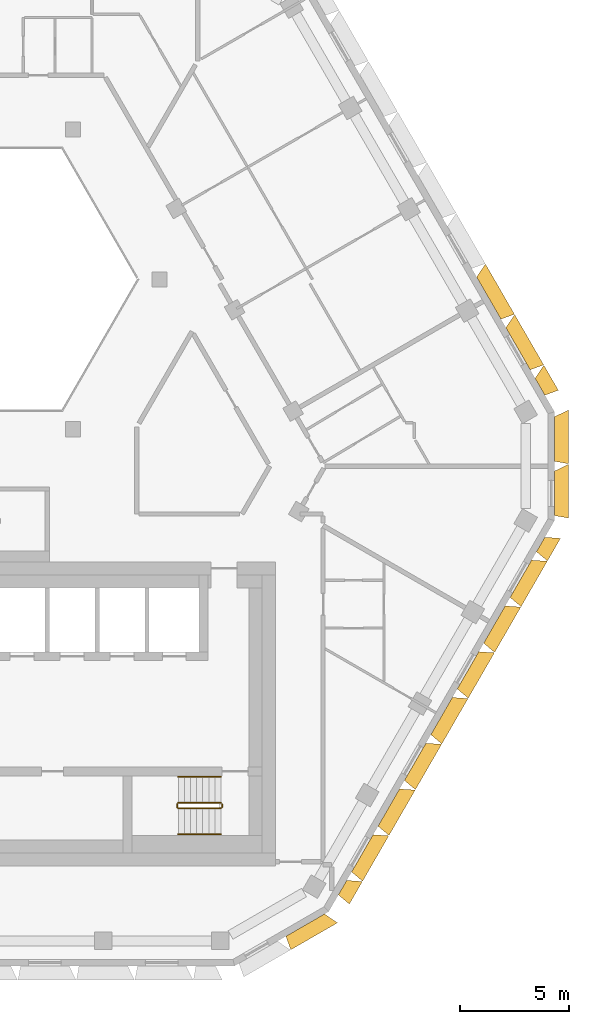
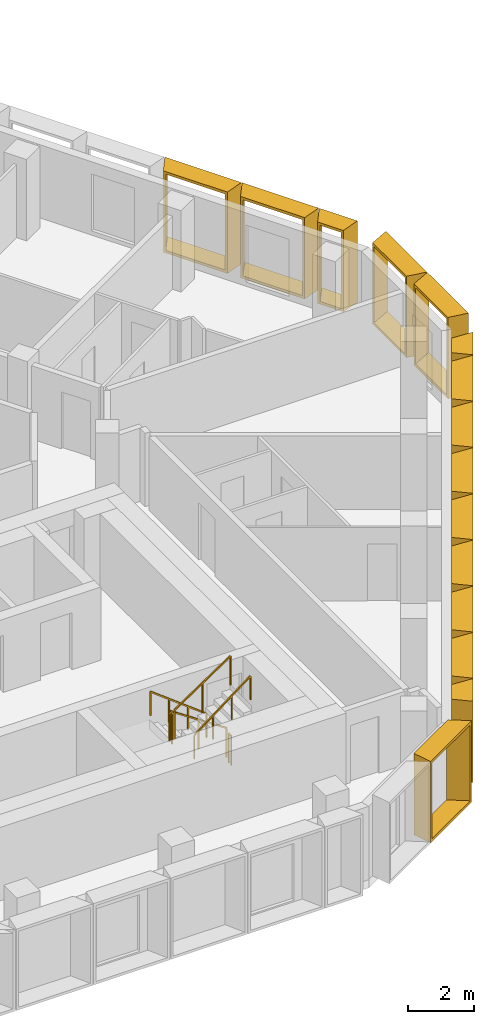
# One storey, part 13 of 14: 15 shading devices, 6 railings.
"""IFC4 building model written with IfcOpenShell, lengths in metres."""

from ifc_helpers import new_model, entity, si_unit, direction, frame, origin, origin_2d, place, context, subcontext, project, spatial, rectangle, extrude, source, transform, mapped, material, type_object, type_shapes, element, save


model = new_model("IFC4")

# Units and contexts
model_context = context("Model", 3, precision=1e-05, world=origin(), true_north=direction((0.0, 1.0)))
body_context = subcontext(model_context, "Body", "Model", "MODEL_VIEW")
ifc_project = project(units=[si_unit("LENGTHUNIT", "METRE"), si_unit("AREAUNIT", "SQUARE_METRE"), si_unit("VOLUMEUNIT", "CUBIC_METRE"), si_unit("PLANEANGLEUNIT", "RADIAN"), si_unit("MASSUNIT", "GRAM", prefix="KILO")], contexts=[model_context])

# Site, building, storey
site_placement = place(None, origin())
site = spatial("IfcSite", under=ifc_project, at=site_placement, CompositionType="ELEMENT")
building_placement = place(site_placement, origin())
building = spatial("IfcBuilding", under=site, at=building_placement, Name="Beryl Residences", CompositionType="ELEMENT")
storey_placement = place(building_placement, frame((0.0, 0.0, 181.199951171875)))
storey = spatial("IfcBuildingStorey", under=building, at=storey_placement, Name="L55", CompositionType="ELEMENT", Elevation=181.199951171875)

# Shading devices
ifc_material_1 = material(Name="Aluminium pale anodised", Category="aluminium")
shading_device_type_1 = type_object("IfcShadingDeviceType", Name="FR122-65C OUTER SKIN frame 650 mm deep, splay 10/26 deg, 1220 x 3000 mm cell", PredefinedType="USERDEFINED", material=ifc_material_1)
cartesian_point_1 = entity("IfcCartesianPoint", [-0.384033203125, 0.0])
cartesian_point_2 = entity("IfcCartesianPoint", [-0.302734375, 0.10009765625])
cartesian_point_3 = entity("IfcCartesianPoint", [-0.49853515625, 0.0])
cartesian_point_4 = entity("IfcCartesianPoint", [-0.41748046875, 0.10009765625])
shared_shape_1 = source(origin(), body_context, "Body", "SweptSolid", [
    entity("IfcExtrudedAreaSolidTapered", entity("IfcArbitraryProfileDefWithVoids", "AREA", None, entity("IfcPolyline", [cartesian_point_1, entity("IfcCartesianPoint", [0.384033203125, 0.0]), entity("IfcCartesianPoint", [0.384033203125, 3.0]), entity("IfcCartesianPoint", [-0.384033203125, 3.0]), cartesian_point_1]), [entity("IfcPolyline", [cartesian_point_2, entity("IfcCartesianPoint", [0.294921875, 0.10009765625]), entity("IfcCartesianPoint", [0.294921875, 2.89990234375]), entity("IfcCartesianPoint", [-0.302734375, 2.89990234375]), cartesian_point_2])]), entity("IfcAxis2Placement3D", entity("IfcCartesianPoint", [0.0, 0.0, 0.0]), entity("IfcDirection", [0.0, 1.0, 0.0]), entity("IfcDirection", [-1.0, 0.0, 0.0])), entity("IfcDirection", [0.0, 0.0, 1.0]), 0.64990234375, entity("IfcArbitraryProfileDefWithVoids", "AREA", None, entity("IfcPolyline", [cartesian_point_3, entity("IfcCartesianPoint", [0.700927734375, 0.0]), entity("IfcCartesianPoint", [0.700927734375, 3.0]), entity("IfcCartesianPoint", [-0.49853515625, 3.0]), cartesian_point_3]), [entity("IfcPolyline", [cartesian_point_4, entity("IfcCartesianPoint", [0.612060546875, 0.10009765625]), entity("IfcCartesianPoint", [0.612060546875, 2.89990234375]), entity("IfcCartesianPoint", [-0.41748046875, 2.89990234375]), cartesian_point_4])])),
])
type_shapes(shading_device_type_1, [shared_shape_1])
for number, where, z_axis, x_axis, name in (
    (1, (16.39697265625, -19.9990234375, 0.0), (0.0, 0.0, 1.0), (-0.5, -0.866025403784, 0.0), "FR122-65C frame L55 SE 1"),
    (2, (25.51611328125, -4.202880859375, 0.0), (0.0, 0.0, 1.0), (-0.5, -0.866025403784, 0.0), "FR122-65C frame L55 SE 9"),
):
    element("IfcShadingDevice", number, at=place(storey_placement, frame(where, z_axis=z_axis, x_axis=x_axis)), inside=storey, type_object=shading_device_type_1, Name=name, ObjectType="OUTER SKIN", PredefinedType="USERDEFINED", context=body_context, shape_type="MappedRepresentation", body=[
        mapped(shared_shape_1, transform((0.0, 0.0, 0.0))),
    ])
ifc_material_2 = material(Name="Aluminium pale anodised", Category="aluminium")
shading_device_type_2 = type_object("IfcShadingDeviceType", Name="FR135-65C OUTER SKIN frame 650 mm deep, splay 10/26 deg, 1350 x 3000 mm cell", PredefinedType="USERDEFINED", material=ifc_material_2)
cartesian_point_5 = entity("IfcCartesianPoint", [-0.448974609375, 0.0])
cartesian_point_6 = entity("IfcCartesianPoint", [-0.36767578125, 0.10009765625])
cartesian_point_7 = entity("IfcCartesianPoint", [-0.563720703125, 0.0])
cartesian_point_8 = entity("IfcCartesianPoint", [-0.482421875, 0.10009765625])
shared_shape_2 = source(origin(), body_context, "Body", "SweptSolid", [
    entity("IfcExtrudedAreaSolidTapered", entity("IfcArbitraryProfileDefWithVoids", "AREA", None, entity("IfcPolyline", [cartesian_point_5, entity("IfcCartesianPoint", [0.448974609375, 0.0]), entity("IfcCartesianPoint", [0.448974609375, 3.0]), entity("IfcCartesianPoint", [-0.448974609375, 3.0]), cartesian_point_5]), [entity("IfcPolyline", [cartesian_point_6, entity("IfcCartesianPoint", [0.360107421875, 0.10009765625]), entity("IfcCartesianPoint", [0.360107421875, 2.89990234375]), entity("IfcCartesianPoint", [-0.36767578125, 2.89990234375]), cartesian_point_6])]), entity("IfcAxis2Placement3D", entity("IfcCartesianPoint", [0.0, 0.0, 0.0]), entity("IfcDirection", [0.0, 1.0, 0.0]), entity("IfcDirection", [-1.0, 0.0, 0.0])), entity("IfcDirection", [0.0, 0.0, 1.0]), 0.64990234375, entity("IfcArbitraryProfileDefWithVoids", "AREA", None, entity("IfcPolyline", [cartesian_point_7, entity("IfcCartesianPoint", [0.76611328125, 0.0]), entity("IfcCartesianPoint", [0.76611328125, 3.0]), entity("IfcCartesianPoint", [-0.563720703125, 3.0]), cartesian_point_7]), [entity("IfcPolyline", [cartesian_point_8, entity("IfcCartesianPoint", [0.677001953125, 0.10009765625]), entity("IfcCartesianPoint", [0.677001953125, 2.89990234375]), entity("IfcCartesianPoint", [-0.482421875, 2.89990234375]), cartesian_point_8])])),
])
type_shapes(shading_device_type_2, [shared_shape_2])
shading_device_placement = place(storey_placement, frame((25.485107421875, 3.056884765625, 0.0), z_axis=(0.0, 0.0, 1.0), x_axis=(0.5, -0.866025403784, 0.0)))
element("IfcShadingDevice", 3, at=shading_device_placement, inside=storey, type_object=shading_device_type_2, Name="FR135-65C frame L55 NE 1", ObjectType="OUTER SKIN", PredefinedType="USERDEFINED", context=body_context, shape_type="MappedRepresentation", body=[
    mapped(shared_shape_2, transform((0.0, 0.0, 0.0))),
])
ifc_material_3 = material(Name="Aluminium pale anodised", Category="aluminium")
shading_device_type_3 = type_object("IfcShadingDeviceType", Name="FR243-65C OUTER SKIN frame 650 mm deep, splay 10/26 deg, 2430 x 3000 mm cell", PredefinedType="USERDEFINED", material=ifc_material_3)
cartesian_point_9 = entity("IfcCartesianPoint", [-0.989013671875, 0.0])
cartesian_point_10 = entity("IfcCartesianPoint", [-0.90771484375, 0.10009765625])
cartesian_point_11 = entity("IfcCartesianPoint", [-1.103515625, 0.0])
cartesian_point_12 = entity("IfcCartesianPoint", [-1.0224609375, 0.10009765625])
shared_shape_3 = source(origin(), body_context, "Body", "SweptSolid", [
    entity("IfcExtrudedAreaSolidTapered", entity("IfcArbitraryProfileDefWithVoids", "AREA", None, entity("IfcPolyline", [cartesian_point_9, entity("IfcCartesianPoint", [0.989013671875, 0.0]), entity("IfcCartesianPoint", [0.989013671875, 3.0]), entity("IfcCartesianPoint", [-0.989013671875, 3.0]), cartesian_point_9]), [entity("IfcPolyline", [cartesian_point_10, entity("IfcCartesianPoint", [0.89990234375, 0.10009765625]), entity("IfcCartesianPoint", [0.89990234375, 2.89990234375]), entity("IfcCartesianPoint", [-0.90771484375, 2.89990234375]), cartesian_point_10])]), entity("IfcAxis2Placement3D", entity("IfcCartesianPoint", [0.0, 0.0, 0.0]), entity("IfcDirection", [0.0, 1.0, 0.0]), entity("IfcDirection", [-1.0, 0.0, 0.0])), entity("IfcDirection", [0.0, 0.0, 1.0]), 0.64990234375, entity("IfcArbitraryProfileDefWithVoids", "AREA", None, entity("IfcPolyline", [cartesian_point_11, entity("IfcCartesianPoint", [1.305908203125, 0.0]), entity("IfcCartesianPoint", [1.305908203125, 3.0]), entity("IfcCartesianPoint", [-1.103515625, 3.0]), cartesian_point_11]), [entity("IfcPolyline", [cartesian_point_12, entity("IfcCartesianPoint", [1.217041015625, 0.10009765625]), entity("IfcCartesianPoint", [1.217041015625, 2.89990234375]), entity("IfcCartesianPoint", [-1.0224609375, 2.89990234375]), cartesian_point_12])])),
])
type_shapes(shading_device_type_3, [shared_shape_3])
for number, where, z_axis, x_axis, name in (
    (4, (17.30908203125, -18.4189453125, 0.0), (0.0, 0.0, 1.0), (-0.5, -0.866025403784, 0.0), "FR243-65C frame L55 SE 2"),
    (5, (18.52490234375, -16.31298828125, 0.0), (0.0, 0.0, 1.0), (-0.5, -0.866025403784, 0.0), "FR243-65C frame L55 SE 3"),
    (6, (19.740966796875, -14.20703125, 0.0), (0.0, 0.0, 1.0), (-0.5, -0.866025403784, 0.0), "FR243-65C frame L55 SE 4"),
    (7, (20.95703125, -12.10107421875, 0.0), (0.0, 0.0, 1.0), (-0.5, -0.866025403784, 0.0), "FR243-65C frame L55 SE 5"),
    (8, (22.172119140625, -9.9951171875, 0.0), (0.0, 0.0, 1.0), (-0.5, -0.866025403784, 0.0), "FR243-65C frame L55 SE 6"),
    (9, (23.387939453125, -7.888916015625, 0.0), (0.0, 0.0, 1.0), (-0.5, -0.866025403784, 0.0), "FR243-65C frame L55 SE 7"),
    (10, (24.60400390625, -5.781982421875, 0.0), (0.0, 0.0, 1.0), (-0.5, -0.866025403784, 0.0), "FR243-65C frame L55 SE 8"),
):
    element("IfcShadingDevice", number, at=place(storey_placement, frame(where, z_axis=z_axis, x_axis=x_axis)), inside=storey, type_object=shading_device_type_3, Name=name, ObjectType="OUTER SKIN", PredefinedType="USERDEFINED", context=body_context, shape_type="MappedRepresentation", body=[
        mapped(shared_shape_3, transform((0.0, 0.0, 0.0))),
    ])
ifc_material_4 = material(Name="Aluminium pale anodised", Category="aluminium")
shading_device_type_4 = type_object("IfcShadingDeviceType", Name="FR250-65C OUTER SKIN frame 650 mm deep, splay 10/26 deg, 2500 x 3000 mm cell", PredefinedType="USERDEFINED", material=ifc_material_4)
cartesian_point_13 = entity("IfcCartesianPoint", [-1.02392578125, 0.0])
cartesian_point_14 = entity("IfcCartesianPoint", [-0.94287109375, 0.10009765625])
cartesian_point_15 = entity("IfcCartesianPoint", [-1.138671875, 0.0])
cartesian_point_16 = entity("IfcCartesianPoint", [-1.057373046875, 0.10009765625])
shared_shape_4 = source(origin(), body_context, "Body", "SweptSolid", [
    entity("IfcExtrudedAreaSolidTapered", entity("IfcArbitraryProfileDefWithVoids", "AREA", None, entity("IfcPolyline", [cartesian_point_13, entity("IfcCartesianPoint", [1.02392578125, 0.0]), entity("IfcCartesianPoint", [1.02392578125, 3.0]), entity("IfcCartesianPoint", [-1.02392578125, 3.0]), cartesian_point_13]), [entity("IfcPolyline", [cartesian_point_14, entity("IfcCartesianPoint", [0.93505859375, 0.10009765625]), entity("IfcCartesianPoint", [0.93505859375, 2.89990234375]), entity("IfcCartesianPoint", [-0.94287109375, 2.89990234375]), cartesian_point_14])]), entity("IfcAxis2Placement3D", entity("IfcCartesianPoint", [0.0, 0.0, 0.0]), entity("IfcDirection", [0.0, 1.0, 0.0]), entity("IfcDirection", [-1.0, 0.0, 0.0])), entity("IfcDirection", [0.0, 0.0, 1.0]), 0.64990234375, entity("IfcArbitraryProfileDefWithVoids", "AREA", None, entity("IfcPolyline", [cartesian_point_15, entity("IfcCartesianPoint", [1.341064453125, 0.0]), entity("IfcCartesianPoint", [1.341064453125, 3.0]), entity("IfcCartesianPoint", [-1.138671875, 3.0]), cartesian_point_15]), [entity("IfcPolyline", [cartesian_point_16, entity("IfcCartesianPoint", [1.251953125, 0.10009765625]), entity("IfcCartesianPoint", [1.251953125, 2.89990234375]), entity("IfcCartesianPoint", [-1.057373046875, 2.89990234375]), cartesian_point_16])])),
])
type_shapes(shading_device_type_4, [shared_shape_4])
for number, where, z_axis, x_axis, name in (
    (11, (14.677978515625, -21.72509765625, 0.0), (0.0, 0.0, 1.0), (-0.866025403784, -0.5, 0.0), "FR250-65C frame L55 S-SE 2"),
    (12, (26.154052734375, -1.85009765625, 0.0), (0.0, 0.0, 1.0), (0.0, -1.0, 0.0), "FR250-65C frame L55 SE-NE 1"),
    (13, (26.154052734375, 0.64990234375, 0.0), (0.0, 0.0, 1.0), (0.0, -1.0, 0.0), "FR250-65C frame L55 SE-NE 2"),
):
    element("IfcShadingDevice", number, at=place(storey_placement, frame(where, z_axis=z_axis, x_axis=x_axis)), inside=storey, type_object=shading_device_type_4, Name=name, ObjectType="OUTER SKIN", PredefinedType="USERDEFINED", context=body_context, shape_type="MappedRepresentation", body=[
        mapped(shared_shape_4, transform((0.0, 0.0, 0.0))),
    ])
ifc_material_5 = material(Name="Aluminium pale anodised", Category="aluminium")
shading_device_type_5 = type_object("IfcShadingDeviceType", Name="FR269-65C OUTER SKIN frame 650 mm deep, splay 10/26 deg, 2690 x 3000 mm cell", PredefinedType="USERDEFINED", material=ifc_material_5)
cartesian_point_17 = entity("IfcCartesianPoint", [-1.118896484375, 0.0])
cartesian_point_18 = entity("IfcCartesianPoint", [-1.037841796875, 0.10009765625])
cartesian_point_19 = entity("IfcCartesianPoint", [-1.233642578125, 0.0])
cartesian_point_20 = entity("IfcCartesianPoint", [-1.15234375, 0.10009765625])
shared_shape_5 = source(origin(), body_context, "Body", "SweptSolid", [
    entity("IfcExtrudedAreaSolidTapered", entity("IfcArbitraryProfileDefWithVoids", "AREA", None, entity("IfcPolyline", [cartesian_point_17, entity("IfcCartesianPoint", [1.118896484375, 0.0]), entity("IfcCartesianPoint", [1.118896484375, 3.0]), entity("IfcCartesianPoint", [-1.118896484375, 3.0]), cartesian_point_17]), [entity("IfcPolyline", [cartesian_point_18, entity("IfcCartesianPoint", [1.030029296875, 0.10009765625]), entity("IfcCartesianPoint", [1.030029296875, 2.89990234375]), entity("IfcCartesianPoint", [-1.037841796875, 2.89990234375]), cartesian_point_18])]), entity("IfcAxis2Placement3D", entity("IfcCartesianPoint", [0.0, 0.0, 0.0]), entity("IfcDirection", [0.0, 1.0, 0.0]), entity("IfcDirection", [-1.0, 0.0, 0.0])), entity("IfcDirection", [0.0, 0.0, 1.0]), 0.64990234375, entity("IfcArbitraryProfileDefWithVoids", "AREA", None, entity("IfcPolyline", [cartesian_point_19, entity("IfcCartesianPoint", [1.43603515625, 0.0]), entity("IfcCartesianPoint", [1.43603515625, 3.0]), entity("IfcCartesianPoint", [-1.233642578125, 3.0]), cartesian_point_19]), [entity("IfcPolyline", [cartesian_point_20, entity("IfcCartesianPoint", [1.346923828125, 0.10009765625]), entity("IfcCartesianPoint", [1.346923828125, 2.89990234375]), entity("IfcCartesianPoint", [-1.15234375, 2.89990234375]), cartesian_point_20])])),
])
type_shapes(shading_device_type_5, [shared_shape_5])
for number, where, z_axis, x_axis, name in (
    (14, (24.47607421875, 4.805908203125, 0.0), (0.0, 0.0, 1.0), (0.5, -0.866025403784, 0.0), "FR269-65C frame L55 NE 2"),
    (15, (23.1298828125, 7.136962890625, 0.0), (0.0, 0.0, 1.0), (0.5, -0.866025403784, 0.0), "FR269-65C frame L55 NE 3"),
):
    element("IfcShadingDevice", number, at=place(storey_placement, frame(where, z_axis=z_axis, x_axis=x_axis)), inside=storey, type_object=shading_device_type_5, Name=name, ObjectType="OUTER SKIN", PredefinedType="USERDEFINED", context=body_context, shape_type="MappedRepresentation", body=[
        mapped(shared_shape_5, transform((0.0, 0.0, 0.0))),
    ])

# Railings
ifc_material_6 = material(Name="Stainless steel balustrade with glass infill", Category="steel")
railing_type_1 = type_object("IfcRailingType", Name="SG1 stair guard 1100 mm", PredefinedType="GUARDRAIL", material=ifc_material_6)
railing_1_placement = place(storey_placement, frame((10.800048828125, -16.10009765625, 0.1875)))
element("IfcRailing", 16, at=railing_1_placement, inside=storey, type_object=railing_type_1, Name="L55 ST-3 stair guard 1", PredefinedType="GUARDRAIL", context=body_context, shape_type="SweptSolid", body=[
    extrude(rectangle(XDim=0.048095703125, YDim=0.048095703125, at=origin_2d()), frame((0.0, 0.0, 1.076171875), z_axis=(-0.830902050051, 0.0, 0.556418712142), x_axis=(0.0, -1.0, 0.0)), (0.0, 0.0, 1.0), 2.35888671875),
    extrude(rectangle(XDim=0.0419921875, YDim=0.0419921875, at=origin_2d()), origin(), (0.0, 0.0, 1.0), 1.052001953125),
    extrude(rectangle(XDim=0.0419921875, YDim=0.0419921875, at=origin_2d()), frame((-0.97998046875, 0.0, 0.65625)), (0.0, 0.0, 1.0), 1.052001953125),
    extrude(rectangle(XDim=0.0419921875, YDim=0.0419921875, at=origin_2d()), frame((-1.9599609375, 0.0, 1.3125)), (0.0, 0.0, 1.0), 1.052001953125),
])
railing_2_placement = place(storey_placement, frame((8.7900390625, -16.14990234375, 1.5)))
element("IfcRailing", 17, at=railing_2_placement, inside=storey, type_object=railing_type_1, Name="L55 ST-3 stair guard 2", PredefinedType="GUARDRAIL", context=body_context, shape_type="SweptSolid", body=[
    extrude(rectangle(XDim=0.048095703125, YDim=0.048095703125, at=origin_2d()), frame((0.0, 0.0, 1.076171875), z_axis=(0.0, -1.0, 0.0), x_axis=(1.0, 0.0, 0.0)), (0.0, 0.0, 1.0), 0.150146484375),
    extrude(rectangle(XDim=0.0419921875, YDim=0.0419921875, at=origin_2d()), origin(), (0.0, 0.0, 1.0), 1.052001953125),
    extrude(rectangle(XDim=0.0419921875, YDim=0.0419921875, at=origin_2d()), frame((0.0, -0.150146484375, 0.0)), (0.0, 0.0, 1.0), 1.052001953125),
])
railing_3_placement = place(storey_placement, frame((8.840087890625, -16.35009765625, 1.6875)))
element("IfcRailing", 18, at=railing_3_placement, inside=storey, type_object=railing_type_1, Name="L55 ST-3 stair guard 3", PredefinedType="GUARDRAIL", context=body_context, shape_type="SweptSolid", body=[
    extrude(rectangle(XDim=0.048095703125, YDim=0.048095703125, at=origin_2d()), frame((0.0, 0.0, 1.076171875), z_axis=(0.830902050051, 0.0, 0.556418712142), x_axis=(0.0, 1.0, 0.0)), (0.0, 0.0, 1.0), 2.35888671875),
    extrude(rectangle(XDim=0.0419921875, YDim=0.0419921875, at=origin_2d()), origin(), (0.0, 0.0, 1.0), 1.052001953125),
    extrude(rectangle(XDim=0.0419921875, YDim=0.0419921875, at=origin_2d()), frame((0.97998046875, 0.0, 0.65625)), (0.0, 0.0, 1.0), 1.052001953125),
    extrude(rectangle(XDim=0.0419921875, YDim=0.0419921875, at=origin_2d()), frame((1.9599609375, 0.0, 1.3125)), (0.0, 0.0, 1.0), 1.052001953125),
])
railing_4_placement = place(storey_placement, frame((10.85009765625, -16.14990234375, 0.0)))
element("IfcRailing", 19, at=railing_4_placement, inside=storey, type_object=railing_type_1, Name="L55 ST-3 stair guard 4", PredefinedType="GUARDRAIL", context=body_context, shape_type="SweptSolid", body=[
    extrude(rectangle(XDim=0.048095703125, YDim=0.048095703125, at=origin_2d()), frame((0.0, 0.0, 1.076171875), z_axis=(0.0, -1.0, 0.0), x_axis=(1.0, 0.0, 0.0)), (0.0, 0.0, 1.0), 0.150146484375),
    extrude(rectangle(XDim=0.0419921875, YDim=0.0419921875, at=origin_2d()), origin(), (0.0, 0.0, 1.0), 1.052001953125),
    extrude(rectangle(XDim=0.0419921875, YDim=0.0419921875, at=origin_2d()), frame((0.0, -0.150146484375, 0.0)), (0.0, 0.0, 1.0), 1.052001953125),
])
ifc_material_7 = material(Name="Stainless steel handrail", Category="steel")
railing_type_2 = type_object("IfcRailingType", Name="SRL1 stair handrail 900 mm", PredefinedType="HANDRAIL", material=ifc_material_7)
railing_5_placement = place(storey_placement, frame((10.800048828125, -14.89990234375, 0.1875)))
element("IfcRailing", 20, at=railing_5_placement, inside=storey, type_object=railing_type_2, Name="L55 ST-3 stair handrail 1", PredefinedType="HANDRAIL", context=body_context, shape_type="SweptSolid", body=[
    extrude(rectangle(XDim=0.048095703125, YDim=0.048095703125, at=origin_2d()), frame((0.0, 0.0, 0.8759765625), z_axis=(-0.794121922505, 0.0, 0.607758481798), x_axis=(0.0, -1.0, 0.0)), (0.0, 0.0, 1.0), 2.468017578125),
    extrude(rectangle(XDim=0.0419921875, YDim=0.0419921875, at=origin_2d()), origin(), (0.0, 0.0, 1.0), 0.851806640625),
    extrude(rectangle(XDim=0.0419921875, YDim=0.0419921875, at=origin_2d()), frame((-0.6533203125, 0.0, 0.5)), (0.0, 0.0, 1.0), 0.851806640625),
    extrude(rectangle(XDim=0.0419921875, YDim=0.0419921875, at=origin_2d()), frame((-1.306640625, 0.0, 1.0)), (0.0, 0.0, 1.0), 0.851806640625),
    extrude(rectangle(XDim=0.0419921875, YDim=0.0419921875, at=origin_2d()), frame((-1.9599609375, 0.0, 1.5)), (0.0, 0.0, 1.0), 0.851806640625),
])
railing_6_placement = place(storey_placement, frame((8.840087890625, -17.550048828125, 1.6875)))
element("IfcRailing", 21, at=railing_6_placement, inside=storey, type_object=railing_type_2, Name="L55 ST-3 stair handrail 2", PredefinedType="HANDRAIL", context=body_context, shape_type="SweptSolid", body=[
    extrude(rectangle(XDim=0.048095703125, YDim=0.048095703125, at=origin_2d()), frame((0.0, 0.0, 0.8759765625), z_axis=(0.794121922505, 0.0, 0.607758481798), x_axis=(0.0, 1.0, 0.0)), (0.0, 0.0, 1.0), 2.468017578125),
    extrude(rectangle(XDim=0.0419921875, YDim=0.0419921875, at=origin_2d()), origin(), (0.0, 0.0, 1.0), 0.851806640625),
    extrude(rectangle(XDim=0.0419921875, YDim=0.0419921875, at=origin_2d()), frame((0.6533203125, 0.0, 0.5)), (0.0, 0.0, 1.0), 0.851806640625),
    extrude(rectangle(XDim=0.0419921875, YDim=0.0419921875, at=origin_2d()), frame((1.306640625, 0.0, 1.0)), (0.0, 0.0, 1.0), 0.851806640625),
    extrude(rectangle(XDim=0.0419921875, YDim=0.0419921875, at=origin_2d()), frame((1.9599609375, 0.0, 1.5)), (0.0, 0.0, 1.0), 0.851806640625),
])

save(model, "model.ifc")
